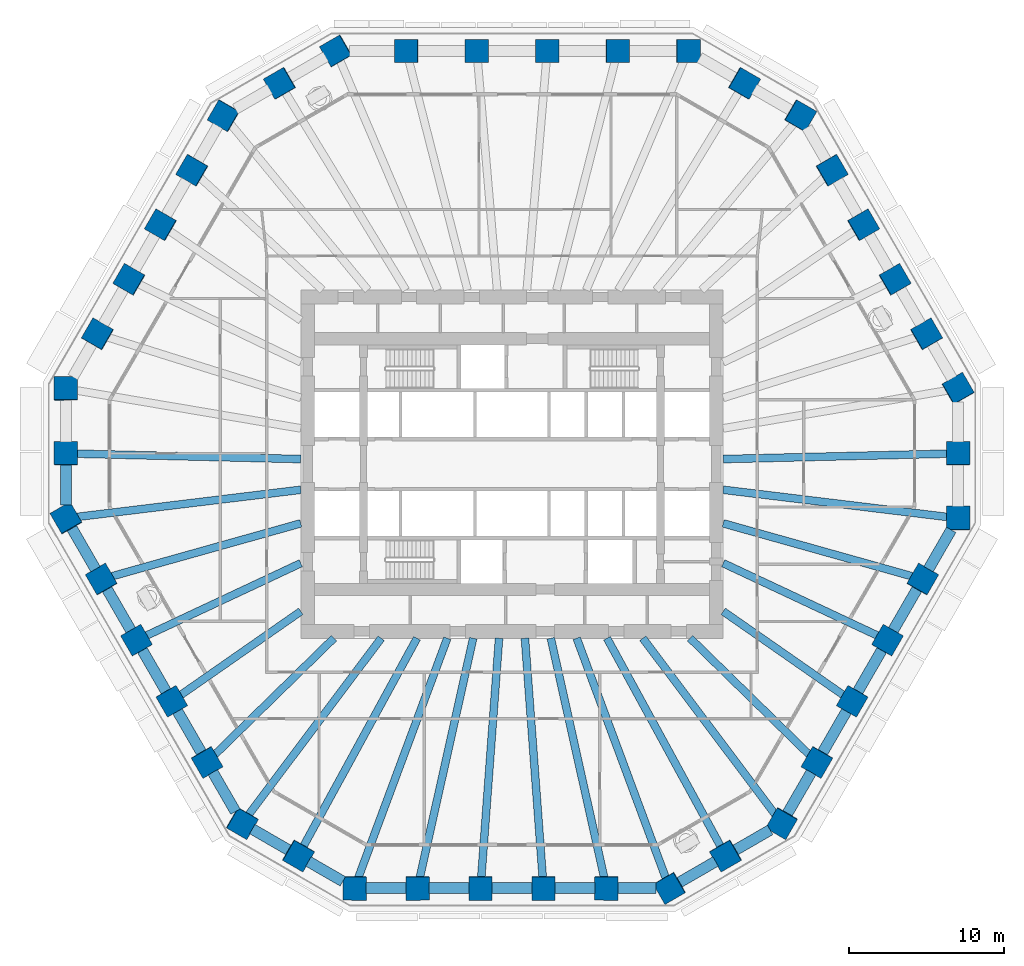
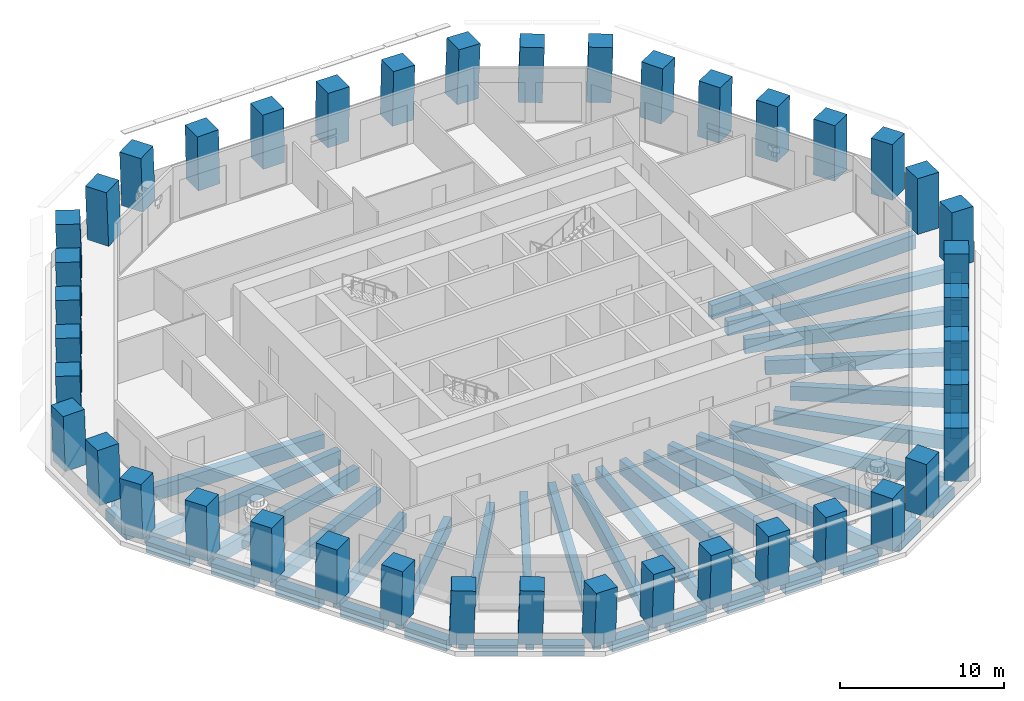
# One storey, part 1 of 13: 42 beams, 42 columns.
"""IFC4 building model written with IfcOpenShell, lengths in metres."""

from ifc_helpers import new_model, si_unit, direction, frame, origin, origin_2d, place, context, subcontext, project, spatial, rectangle, extrude, material, material_profile, profile_set, type_object, element, save


model = new_model("IFC4")

# Units and contexts
model_context = context("Model", 3, precision=1e-05, world=origin(), true_north=direction((0.0, 1.0)))
body_context = subcontext(model_context, "Body", "Model", "MODEL_VIEW")
ifc_project = project(units=[si_unit("LENGTHUNIT", "METRE"), si_unit("AREAUNIT", "SQUARE_METRE"), si_unit("VOLUMEUNIT", "CUBIC_METRE"), si_unit("PLANEANGLEUNIT", "RADIAN"), si_unit("MASSUNIT", "GRAM", prefix="KILO")], contexts=[model_context])

# Site, building, storey
site_placement = place(None, origin())
site = spatial("IfcSite", under=ifc_project, at=site_placement, CompositionType="ELEMENT")
building_placement = place(site_placement, origin())
building = spatial("IfcBuilding", under=site, at=building_placement, Name="Frailejon Research Tower", CompositionType="ELEMENT")
storey_placement = place(building_placement, frame((0.0, 0.0, 36.60009765625)))
storey = spatial("IfcBuildingStorey", under=building, at=storey_placement, Name="L08", CompositionType="ELEMENT", Elevation=36.60009765625)

# Columns
ifc_material_1 = material(Name="Concrete C70/85", Category="concrete")
ifc_material_profile_1 = material_profile(ifc_material_1, rectangle(XDim=1.5, YDim=1.5, at=origin_2d()), Name="Column 1500")
ifc_profile_set_1 = profile_set([ifc_material_profile_1], Name="Concrete C70/85")
column_type = type_object("IfcColumnType", Name="Column 1500", PredefinedType="COLUMN", material=ifc_profile_set_1)
for number, where, z_axis, x_axis, name in (
    (1, (28.81201171875, -3.49609375, 0.0), (0.018133721723, 0.031387604711, 0.999342777233), (-2.2310109e-05, 0.999507138094, -0.031392362166), "Column C01"),
    (2, (28.81201171875, 0.69140625, 0.0), (0.018133721723, 0.031387604711, 0.999342777233), (-2.2310109e-05, 0.999507138094, -0.031392362166), "Column C02"),
    (3, (28.81201171875, 4.87890625, 0.0), (0.018133721723, 0.031387604711, 0.999342777233), (-0.499938617502, 0.865871183901, -0.018123786047), "Column C03"),
):
    element("IfcColumn", number, at=place(storey_placement, frame(where, z_axis=z_axis, x_axis=x_axis)), inside=storey, type_object=column_type, Name=name, PredefinedType="COLUMN", context=body_context, shape_type="SweptSolid", body=[
        extrude(rectangle(XDim=1.5, YDim=1.5, at=origin_2d()), origin(), (0.0, 0.0, 1.0), 4.052490234375),
    ])
column_1_placement = place(storey_placement, frame((26.77587890625, 8.405517578125, 0.0), z_axis=(0.021750666956, 0.025184982791, 0.999446159195), x_axis=(-0.501141735437, 0.865296589037, -0.010898348669)))
element("IfcColumn", 4, at=column_1_placement, inside=storey, type_object=column_type, Name="Column C04", PredefinedType="COLUMN", context=body_context, shape_type="SweptSolid", body=[
    extrude(rectangle(XDim=1.5, YDim=1.5, at=origin_2d()), origin(), (0.0, 0.0, 1.0), 4.052001953125),
])
for number, where, z_axis, x_axis, name in (
    (5, (24.73974609375, 11.932373046875, 0.0), (0.025367110012, 0.018859632859, 0.999500287133), (-0.500693075872, 0.865617292239, -0.003625899899), "Column C05"),
    (6, (22.70361328125, 15.458984375, 0.0), (0.028982383936, 0.01259317722, 0.99950059195), (-0.500965863044, 0.865459464324, 0.003622109482), "Column C06"),
):
    element("IfcColumn", number, at=place(storey_placement, frame(where, z_axis=z_axis, x_axis=x_axis)), inside=storey, type_object=column_type, Name=name, PredefinedType="COLUMN", context=body_context, shape_type="SweptSolid", body=[
        extrude(rectangle(XDim=1.5, YDim=1.5, at=origin_2d()), origin(), (0.0, 0.0, 1.0), 4.0517578125),
    ])
column_2_placement = place(storey_placement, frame((20.66748046875, 18.985595703125, 0.0), z_axis=(0.032656141186, 0.006326374215, 0.999446623603), x_axis=(-0.500478610306, 0.865680620308, 0.01087309752)))
element("IfcColumn", 7, at=column_2_placement, inside=storey, type_object=column_type, Name="Column C07", PredefinedType="COLUMN", context=body_context, shape_type="SweptSolid", body=[
    extrude(rectangle(XDim=1.5, YDim=1.5, at=origin_2d()), origin(), (0.0, 0.0, 1.0), 4.052001953125),
])
for number, where, z_axis, x_axis, name in (
    (8, (18.63134765625, 22.512451171875, 0.0), (0.036267419622, 0.0, 0.999342120734), (-0.865313477853, 0.500246354177, 0.031403346616), "Column C08"),
    (9, (15.004638671875, 24.606201171875, 0.0), (0.036267419622, 0.0, 0.999342120734), (-0.865313477853, 0.500246354177, 0.031403346616), "Column C09"),
    (10, (11.378173828125, 26.699951171875, 0.0), (0.036267419622, 0.0, 0.999342120734), (-0.999342120734, 0.0, 0.036267419622), "Column C10"),
):
    element("IfcColumn", number, at=place(storey_placement, frame(where, z_axis=z_axis, x_axis=x_axis)), inside=storey, type_object=column_type, Name=name, PredefinedType="COLUMN", context=body_context, shape_type="SweptSolid", body=[
        extrude(rectangle(XDim=1.5, YDim=1.5, at=origin_2d()), origin(), (0.0, 0.0, 1.0), 4.052490234375),
    ])
column_3_placement = place(storey_placement, frame((6.826904296875, 26.699951171875, 0.0), z_axis=(0.021757568282, 0.0, 0.999763276092), x_axis=(-0.999763276092, 0.0, 0.021757568282)))
element("IfcColumn", 11, at=column_3_placement, inside=storey, type_object=column_type, Name="Column C11", PredefinedType="COLUMN", context=body_context, shape_type="SweptSolid", body=[
    extrude(rectangle(XDim=1.5, YDim=1.5, at=origin_2d()), origin(), (0.0, 0.0, 1.0), 4.05078125),
])
for number, where, z_axis, x_axis, name in (
    (12, (2.275634765625, 26.699951171875, 0.0), (0.007294235652, 0.0, 0.999973396709), (-0.999973396709, 0.0, 0.007294235652), "Column C12"),
    (13, (-2.275634765625, 26.699951171875, 0.0), (-0.007294235652, 0.0, 0.999973396709), (-0.999973396709, 0.0, -0.007294235652), "Column C13"),
):
    element("IfcColumn", number, at=place(storey_placement, frame(where, z_axis=z_axis, x_axis=x_axis)), inside=storey, type_object=column_type, Name=name, PredefinedType="COLUMN", context=body_context, shape_type="SweptSolid", body=[
        extrude(rectangle(XDim=1.5, YDim=1.5, at=origin_2d()), origin(), (0.0, 0.0, 1.0), 4.0498046875),
    ])
column_4_placement = place(storey_placement, frame((-6.826904296875, 26.699951171875, 0.0), z_axis=(-0.021757568282, 0.0, 0.999763276092), x_axis=(-0.999763276092, 0.0, -0.021757568282)))
element("IfcColumn", 14, at=column_4_placement, inside=storey, type_object=column_type, Name="Column C14", PredefinedType="COLUMN", context=body_context, shape_type="SweptSolid", body=[
    extrude(rectangle(XDim=1.5, YDim=1.5, at=origin_2d()), origin(), (0.0, 0.0, 1.0), 4.05078125),
])
for number, where, z_axis, x_axis, name in (
    (15, (-11.378173828125, 26.699951171875, 0.0), (-0.036267419622, 0.0, 0.999342120734), (-0.865313477853, -0.500246354177, -0.031403346616), "Column C15"),
    (16, (-15.004638671875, 24.606201171875, 0.0), (-0.036267419622, 0.0, 0.999342120734), (-0.865313477853, -0.500246354177, -0.031403346616), "Column C16"),
    (17, (-18.63134765625, 22.512451171875, 0.0), (-0.036267419622, 0.0, 0.999342120734), (-0.499424827821, -0.866167613071, -0.018124773713), "Column C17"),
):
    element("IfcColumn", number, at=place(storey_placement, frame(where, z_axis=z_axis, x_axis=x_axis)), inside=storey, type_object=column_type, Name=name, PredefinedType="COLUMN", context=body_context, shape_type="SweptSolid", body=[
        extrude(rectangle(XDim=1.5, YDim=1.5, at=origin_2d()), origin(), (0.0, 0.0, 1.0), 4.052490234375),
    ])
column_5_placement = place(storey_placement, frame((-20.66748046875, 18.985595703125, 0.0), z_axis=(-0.032656141186, 0.006326374215, 0.999446623603), x_axis=(-0.500478610306, -0.865680620308, -0.01087309752)))
element("IfcColumn", 18, at=column_5_placement, inside=storey, type_object=column_type, Name="Column C18", PredefinedType="COLUMN", context=body_context, shape_type="SweptSolid", body=[
    extrude(rectangle(XDim=1.5, YDim=1.5, at=origin_2d()), origin(), (0.0, 0.0, 1.0), 4.052001953125),
])
for number, where, z_axis, x_axis, name in (
    (19, (-22.70361328125, 15.458984375, 0.0), (-0.028982383936, 0.01259317722, 0.99950059195), (-0.500965863044, -0.865459464324, -0.003622109482), "Column C19"),
    (20, (-24.73974609375, 11.932373046875, 0.0), (-0.025367110012, 0.018859632859, 0.999500287133), (-0.500693075872, -0.865617292239, 0.003625899899), "Column C20"),
):
    element("IfcColumn", number, at=place(storey_placement, frame(where, z_axis=z_axis, x_axis=x_axis)), inside=storey, type_object=column_type, Name=name, PredefinedType="COLUMN", context=body_context, shape_type="SweptSolid", body=[
        extrude(rectangle(XDim=1.5, YDim=1.5, at=origin_2d()), origin(), (0.0, 0.0, 1.0), 4.0517578125),
    ])
column_6_placement = place(storey_placement, frame((-26.77587890625, 8.405517578125, 0.0), z_axis=(-0.021750666956, 0.025184982791, 0.999446159195), x_axis=(-0.501141735437, -0.865296589037, 0.010898348669)))
element("IfcColumn", 21, at=column_6_placement, inside=storey, type_object=column_type, Name="Column C21", PredefinedType="COLUMN", context=body_context, shape_type="SweptSolid", body=[
    extrude(rectangle(XDim=1.5, YDim=1.5, at=origin_2d()), origin(), (0.0, 0.0, 1.0), 4.052001953125),
])
for number, where, z_axis, x_axis, name in (
    (22, (-28.81201171875, 4.87890625, 0.0), (-0.018133721723, 0.031387604711, 0.999342777233), (-2.2310109e-05, -0.999507138094, 0.031392362166), "Column C22"),
    (23, (-28.81201171875, 0.69140625, 0.0), (-0.018133721723, 0.031387604711, 0.999342777233), (-2.2310109e-05, -0.999507138094, 0.031392362166), "Column C23"),
    (24, (-28.81201171875, -3.49609375, 0.0), (-0.018133721723, 0.031387604711, 0.999342777233), (0.500144780873, -0.865182746395, 0.036249324205), "Column C24"),
):
    element("IfcColumn", number, at=place(storey_placement, frame(where, z_axis=z_axis, x_axis=x_axis)), inside=storey, type_object=column_type, Name=name, PredefinedType="COLUMN", context=body_context, shape_type="SweptSolid", body=[
        extrude(rectangle(XDim=1.5, YDim=1.5, at=origin_2d()), origin(), (0.0, 0.0, 1.0), 4.052490234375),
    ])
column_7_placement = place(storey_placement, frame((-26.536376953125, -7.437744140625, 0.0), z_axis=(-0.010848648059, 0.01886459357, 0.999763188933), x_axis=(0.498562444949, -0.866580592009, 0.021761572546)))
element("IfcColumn", 25, at=column_7_placement, inside=storey, type_object=column_type, Name="Column C25", PredefinedType="COLUMN", context=body_context, shape_type="SweptSolid", body=[
    extrude(rectangle(XDim=1.5, YDim=1.5, at=origin_2d()), origin(), (0.0, 0.0, 1.0), 4.05078125),
])
for number, where, z_axis, x_axis, name in (
    (26, (-24.2607421875, -11.379150390625, 0.0), (-0.003616977835, 0.006269428248, 0.999973805527), (0.498177151135, -0.867045061108, 0.007237962107), "Column C26"),
    (27, (-21.985107421875, -15.32080078125, 0.0), (0.003616977835, -0.006269428248, 0.999973805527), (0.498177151135, -0.867045061108, -0.007237962107), "Column C27"),
):
    element("IfcColumn", number, at=place(storey_placement, frame(where, z_axis=z_axis, x_axis=x_axis)), inside=storey, type_object=column_type, Name=name, PredefinedType="COLUMN", context=body_context, shape_type="SweptSolid", body=[
        extrude(rectangle(XDim=1.5, YDim=1.5, at=origin_2d()), origin(), (0.0, 0.0, 1.0), 4.0498046875),
    ])
column_8_placement = place(storey_placement, frame((-19.70947265625, -19.26220703125, 0.0), z_axis=(0.010908911174, -0.018864581201, 0.999762533421), x_axis=(0.500638363085, -0.865382200335, -0.021791667014)))
element("IfcColumn", 28, at=column_8_placement, inside=storey, type_object=column_type, Name="Column C28", PredefinedType="COLUMN", context=body_context, shape_type="SweptSolid", body=[
    extrude(rectangle(XDim=1.5, YDim=1.5, at=origin_2d()), origin(), (0.0, 0.0, 1.0), 4.05078125),
])
for number, where, z_axis, x_axis, name in (
    (29, (-17.433837890625, -23.203857421875, 0.0), (0.018133721723, -0.031387604711, 0.999342777233), (0.86588493646, -0.499257214888, -0.031392836679), "Column C29"),
    (30, (-13.80712890625, -25.297607421875, 0.0), (0.018133721723, -0.031387604711, 0.999342777233), (0.866156161144, -0.49878714117, -0.031382994035), "Column C30"),
    (31, (-10.1806640625, -27.391357421875, 0.0), (0.018133687401, -0.03144779011, 0.999340885723), (0.999835530827, 0.000286416227, -0.018133649958), "Column C31"),
):
    element("IfcColumn", number, at=place(storey_placement, frame(where, z_axis=z_axis, x_axis=x_axis)), inside=storey, type_object=column_type, Name=name, PredefinedType="COLUMN", context=body_context, shape_type="SweptSolid", body=[
        extrude(rectangle(XDim=1.5, YDim=1.5, at=origin_2d()), origin(), (0.0, 0.0, 1.0), 4.052490234375),
    ])
column_9_placement = place(storey_placement, frame((-6.1083984375, -27.391357421875, 0.0), z_axis=(0.010905455097, -0.031451091494, 0.999445796376), x_axis=(0.999940472125, 0.000693933994, -0.010889015669)))
element("IfcColumn", 32, at=column_9_placement, inside=storey, type_object=column_type, Name="Column C32", PredefinedType="COLUMN", context=body_context, shape_type="SweptSolid", body=[
    extrude(rectangle(XDim=1.5, YDim=1.5, at=origin_2d()), origin(), (0.0, 0.0, 1.0), 4.052001953125),
])
for number, where, z_axis, x_axis, name in (
    (33, (-2.0361328125, -27.391357421875, 0.0), (0.003615259349, -0.031452756336, 0.999498701359), (0.999993464625, 8.9080718e-05, -0.003614245704), "Column C33"),
    (34, (2.0361328125, -27.391357421875, 0.0), (-0.003615259349, -0.031452756336, 0.999498701359), (0.999993464625, -8.9080718e-05, 0.003614245704), "Column C34"),
):
    element("IfcColumn", number, at=place(storey_placement, frame(where, z_axis=z_axis, x_axis=x_axis)), inside=storey, type_object=column_type, Name=name, PredefinedType="COLUMN", context=body_context, shape_type="SweptSolid", body=[
        extrude(rectangle(XDim=1.5, YDim=1.5, at=origin_2d()), origin(), (0.0, 0.0, 1.0), 4.0517578125),
    ])
column_10_placement = place(storey_placement, frame((6.1083984375, -27.391357421875, 0.0), z_axis=(-0.010905455097, -0.031451091494, 0.999445796376), x_axis=(0.999940472125, -0.000693933994, 0.010889015669)))
element("IfcColumn", 35, at=column_10_placement, inside=storey, type_object=column_type, Name="Column C35", PredefinedType="COLUMN", context=body_context, shape_type="SweptSolid", body=[
    extrude(rectangle(XDim=1.5, YDim=1.5, at=origin_2d()), origin(), (0.0, 0.0, 1.0), 4.052001953125),
])
for number, where, z_axis, x_axis, name in (
    (36, (10.1806640625, -27.391357421875, 0.0), (-0.018133687401, -0.03144779011, 0.999340885723), (0.865740951417, 0.499504633719, 0.031428107377), "Column C36"),
    (37, (13.80712890625, -25.297607421875, 0.0), (-0.018133721723, -0.031387604711, 0.999342777233), (0.866156161144, 0.49878714117, 0.031382994035), "Column C37"),
    (38, (17.433837890625, -23.203857421875, 0.0), (-0.018133721723, -0.031387604711, 0.999342777233), (0.499674779335, 0.865454274592, 0.036249323948), "Column C38"),
):
    element("IfcColumn", number, at=place(storey_placement, frame(where, z_axis=z_axis, x_axis=x_axis)), inside=storey, type_object=column_type, Name=name, PredefinedType="COLUMN", context=body_context, shape_type="SweptSolid", body=[
        extrude(rectangle(XDim=1.5, YDim=1.5, at=origin_2d()), origin(), (0.0, 0.0, 1.0), 4.052490234375),
    ])
column_11_placement = place(storey_placement, frame((19.70947265625, -19.26220703125, 0.0), z_axis=(-0.010908911174, -0.018864581201, 0.999762533421), x_axis=(0.500638363085, 0.865382200335, 0.021791667014)))
element("IfcColumn", 39, at=column_11_placement, inside=storey, type_object=column_type, Name="Column C39", PredefinedType="COLUMN", context=body_context, shape_type="SweptSolid", body=[
    extrude(rectangle(XDim=1.5, YDim=1.5, at=origin_2d()), origin(), (0.0, 0.0, 1.0), 4.05078125),
])
for number, where, z_axis, x_axis, name in (
    (40, (21.985107421875, -15.32080078125, 0.0), (-0.003616977835, -0.006269428248, 0.999973805527), (0.498177151135, 0.867045061108, 0.007237962107), "Column C40"),
    (41, (24.2607421875, -11.379150390625, 0.0), (0.003616977835, 0.006269428248, 0.999973805527), (0.498177151135, 0.867045061108, -0.007237962107), "Column C41"),
):
    element("IfcColumn", number, at=place(storey_placement, frame(where, z_axis=z_axis, x_axis=x_axis)), inside=storey, type_object=column_type, Name=name, PredefinedType="COLUMN", context=body_context, shape_type="SweptSolid", body=[
        extrude(rectangle(XDim=1.5, YDim=1.5, at=origin_2d()), origin(), (0.0, 0.0, 1.0), 4.0498046875),
    ])
column_12_placement = place(storey_placement, frame((26.536376953125, -7.437744140625, 0.0), z_axis=(0.010848648059, 0.01886459357, 0.999763188933), x_axis=(0.498562444949, 0.866580592009, -0.021761572546)))
element("IfcColumn", 42, at=column_12_placement, inside=storey, type_object=column_type, Name="Column C42", PredefinedType="COLUMN", context=body_context, shape_type="SweptSolid", body=[
    extrude(rectangle(XDim=1.5, YDim=1.5, at=origin_2d()), origin(), (0.0, 0.0, 1.0), 4.05078125),
])

# Beams
ifc_material_2 = material(Name="Concrete C60/75", Category="concrete")
ifc_material_profile_2 = material_profile(ifc_material_2, rectangle(XDim=0.5, YDim=1.050048828125, at=origin_2d()), Name="Girder 500x1050")
ifc_profile_set_2 = profile_set([ifc_material_profile_2], Name="Concrete C60/75")
beam_type_1 = type_object("IfcBeamType", Name="Girder 500x1050", PredefinedType="BEAM", material=ifc_profile_set_2)
beam_1_placement = place(storey_placement, frame((28.2109375, -3.42333984375, -0.8251953125), z_axis=(-0.992718530306, 0.120457127592, 0.0), x_axis=(-0.120457127592, -0.992718530306, 0.0)))
element("IfcBeam", 43, at=beam_1_placement, inside=storey, type_object=beam_type_1, Name="Girder 500x1050", PredefinedType="BEAM", context=body_context, shape_type="SweptSolid", body=[
    extrude(rectangle(XDim=0.5, YDim=1.050048828125, at=origin_2d()), origin(), (0.0, 0.0, 1.0), 14.667724609375),
])
for number, where, z_axis, x_axis, name in (
    (44, (28.2119140625, 0.677001953125, -0.8251953125), (-0.999712326942, -0.023984648423, 0.0), (0.023984648423, -0.999712326942, 0.0), "Girder 500x1050"),
    (45, (-28.2119140625, 0.677001953125, -0.8251953125), (0.999712326942, -0.023984648423, 0.0), (0.023984648423, 0.999712326942, 0.0), "Girder 500x1050"),
):
    element("IfcBeam", number, at=place(storey_placement, frame(where, z_axis=z_axis, x_axis=x_axis)), inside=storey, type_object=beam_type_1, Name=name, PredefinedType="BEAM", context=body_context, shape_type="SweptSolid", body=[
        extrude(rectangle(XDim=0.5, YDim=1.050048828125, at=origin_2d()), origin(), (0.0, 0.0, 1.0), 14.566162109375),
    ])
beam_2_placement = place(storey_placement, frame((-28.151611328125, -3.416015625, -0.8251953125), z_axis=(0.992719557939, 0.120448658295, 0.0), x_axis=(-0.120448658295, 0.992719557939, 0.0)))
element("IfcBeam", 46, at=beam_2_placement, inside=storey, type_object=beam_type_1, Name="Girder 500x1050", PredefinedType="BEAM", context=body_context, shape_type="SweptSolid", body=[
    extrude(rectangle(XDim=0.5, YDim=1.050048828125, at=origin_2d()), origin(), (0.0, 0.0, 1.0), 14.608154296875),
])
beam_3_placement = place(storey_placement, frame((-25.935302734375, -7.269287109375, -0.8251953125), z_axis=(0.962893834808, 0.269880460367, 0.0), x_axis=(-0.269880460367, 0.962893834808, 0.0)))
element("IfcBeam", 47, at=beam_3_placement, inside=storey, type_object=beam_type_1, Name="Girder 500x1050", PredefinedType="BEAM", context=body_context, shape_type="SweptSolid", body=[
    extrude(rectangle(XDim=0.5, YDim=1.050048828125, at=origin_2d()), origin(), (0.0, 0.0, 1.0), 12.7587890625),
])
beam_4_placement = place(storey_placement, frame((-23.715087890625, -11.123291015625, -0.8251953125), z_axis=(0.905358955257, 0.424647103059, 0.0), x_axis=(-0.424647103059, 0.905358955257, 0.0)))
element("IfcBeam", 48, at=beam_4_placement, inside=storey, type_object=beam_type_1, Name="Girder 500x1050", PredefinedType="BEAM", context=body_context, shape_type="SweptSolid", body=[
    extrude(rectangle(XDim=0.5, YDim=1.050048828125, at=origin_2d()), origin(), (0.0, 0.0, 1.0), 11.117431640625),
])
beam_5_placement = place(storey_placement, frame((-21.490478515625, -14.976318359375, -0.8251953125), z_axis=(0.820424312343, 0.571755146646, 0.0), x_axis=(-0.571755146646, 0.820424312343, 0.0)))
element("IfcBeam", 49, at=beam_5_placement, inside=storey, type_object=beam_type_1, Name="Girder 500x1050", PredefinedType="BEAM", context=body_context, shape_type="SweptSolid", body=[
    extrude(rectangle(XDim=0.5, YDim=1.050048828125, at=origin_2d()), origin(), (0.0, 0.0, 1.0), 9.556640625),
])
beam_6_placement = place(storey_placement, frame((-19.262939453125, -18.826171875, -0.8251953125), z_axis=(0.715168778636, 0.698951799529, 0.0), x_axis=(-0.698951799529, 0.715168778636, 0.0)))
element("IfcBeam", 50, at=beam_6_placement, inside=storey, type_object=beam_type_1, Name="Girder 500x1050", PredefinedType="BEAM", context=body_context, shape_type="SweptSolid", body=[
    extrude(rectangle(XDim=0.5, YDim=1.050048828125, at=origin_2d()), origin(), (0.0, 0.0, 1.0), 10.83935546875),
])
beam_7_placement = place(storey_placement, frame((-17.070068359375, -22.7197265625, -0.8251953125), z_axis=(0.60068592744, 0.799485094655, 0.0), x_axis=(-0.799485094655, 0.60068592744, 0.0)))
element("IfcBeam", 51, at=beam_7_placement, inside=storey, type_object=beam_type_1, Name="Girder 500x1050", PredefinedType="BEAM", context=body_context, shape_type="SweptSolid", body=[
    extrude(rectangle(XDim=0.5, YDim=1.050048828125, at=origin_2d()), origin(), (0.0, 0.0, 1.0), 14.346435546875),
])
beam_8_placement = place(storey_placement, frame((-13.51953125, -24.770751953125, -0.8251953125), z_axis=(0.479074213611, 0.877774400318, 0.0), x_axis=(-0.877774400318, 0.479074213611, 0.0)))
element("IfcBeam", 52, at=beam_8_placement, inside=storey, type_object=beam_type_1, Name="Girder 500x1050", PredefinedType="BEAM", context=body_context, shape_type="SweptSolid", body=[
    extrude(rectangle(XDim=0.5, YDim=1.050048828125, at=origin_2d()), origin(), (0.0, 0.0, 1.0), 15.403564453125),
])
beam_9_placement = place(storey_placement, frame((-9.9541015625, -26.781982421875, -0.8251953125), z_axis=(0.348381845947, 0.937352702783, 0.0), x_axis=(-0.937352702783, 0.348381845947, 0.0)))
element("IfcBeam", 53, at=beam_9_placement, inside=storey, type_object=beam_type_1, Name="Girder 500x1050", PredefinedType="BEAM", context=body_context, shape_type="SweptSolid", body=[
    extrude(rectangle(XDim=0.5, YDim=1.050048828125, at=origin_2d()), origin(), (0.0, 0.0, 1.0), 16.570068359375),
])
beam_10_placement = place(storey_placement, frame((-5.973876953125, -26.787841796875, -0.8251953125), z_axis=(0.217662732126, 0.976024044296, 0.0), x_axis=(-0.976024044296, 0.217662732126, 0.0)))
element("IfcBeam", 54, at=beam_10_placement, inside=storey, type_object=beam_type_1, Name="Girder 500x1050", PredefinedType="BEAM", context=body_context, shape_type="SweptSolid", body=[
    extrude(rectangle(XDim=0.5, YDim=1.050048828125, at=origin_2d()), origin(), (0.0, 0.0, 1.0), 15.91943359375),
])
for number, where, z_axis, x_axis, name in (
    (55, (-1.991455078125, -26.791015625, -0.8251953125), (0.074132515803, 0.997248399397, 0.0), (-0.997248399397, 0.074132515803, 0.0), "Girder 500x1050"),
    (56, (1.991455078125, -26.791015625, -0.8251953125), (-0.074132515803, 0.997248399397, 0.0), (-0.997248399397, -0.074132515803, 0.0), "Girder 500x1050"),
):
    element("IfcBeam", number, at=place(storey_placement, frame(where, z_axis=z_axis, x_axis=x_axis)), inside=storey, type_object=beam_type_1, Name=name, PredefinedType="BEAM", context=body_context, shape_type="SweptSolid", body=[
        extrude(rectangle(XDim=0.5, YDim=1.050048828125, at=origin_2d()), origin(), (0.0, 0.0, 1.0), 15.583984375),
    ])
beam_11_placement = place(storey_placement, frame((5.973876953125, -26.787841796875, -0.8251953125), z_axis=(-0.217662732126, 0.976024044296, 0.0), x_axis=(-0.976024044296, -0.217662732126, 0.0)))
element("IfcBeam", 57, at=beam_11_placement, inside=storey, type_object=beam_type_1, Name="Girder 500x1050", PredefinedType="BEAM", context=body_context, shape_type="SweptSolid", body=[
    extrude(rectangle(XDim=0.5, YDim=1.050048828125, at=origin_2d()), origin(), (0.0, 0.0, 1.0), 15.91943359375),
])
beam_12_placement = place(storey_placement, frame((9.968017578125, -26.819091796875, -0.8251953125), z_axis=(-0.348388391296, 0.937350270075, 0.0), x_axis=(-0.937350270075, -0.348388391296, 0.0)))
element("IfcBeam", 58, at=beam_12_placement, inside=storey, type_object=beam_type_1, Name="Girder 500x1050", PredefinedType="BEAM", context=body_context, shape_type="SweptSolid", body=[
    extrude(rectangle(XDim=0.5, YDim=1.050048828125, at=origin_2d()), origin(), (0.0, 0.0, 1.0), 16.609619140625),
])
beam_13_placement = place(storey_placement, frame((13.51953125, -24.770751953125, -0.8251953125), z_axis=(-0.479074213611, 0.877774400318, 0.0), x_axis=(-0.877774400318, -0.479074213611, 0.0)))
element("IfcBeam", 59, at=beam_13_placement, inside=storey, type_object=beam_type_1, Name="Girder 500x1050", PredefinedType="BEAM", context=body_context, shape_type="SweptSolid", body=[
    extrude(rectangle(XDim=0.5, YDim=1.050048828125, at=origin_2d()), origin(), (0.0, 0.0, 1.0), 15.403564453125),
])
beam_14_placement = place(storey_placement, frame((17.0341796875, -22.671875, -0.8251953125), z_axis=(-0.600688798324, 0.799482937634, 0.0), x_axis=(-0.799482937634, -0.600688798324, 0.0)))
element("IfcBeam", 60, at=beam_14_placement, inside=storey, type_object=beam_type_1, Name="Girder 500x1050", PredefinedType="BEAM", context=body_context, shape_type="SweptSolid", body=[
    extrude(rectangle(XDim=0.5, YDim=1.050048828125, at=origin_2d()), origin(), (0.0, 0.0, 1.0), 14.28662109375),
])
beam_15_placement = place(storey_placement, frame((19.262939453125, -18.826171875, -0.8251953125), z_axis=(-0.715168778636, 0.698951799529, 0.0), x_axis=(-0.698951799529, -0.715168778636, 0.0)))
element("IfcBeam", 61, at=beam_15_placement, inside=storey, type_object=beam_type_1, Name="Girder 500x1050", PredefinedType="BEAM", context=body_context, shape_type="SweptSolid", body=[
    extrude(rectangle(XDim=0.5, YDim=1.050048828125, at=origin_2d()), origin(), (0.0, 0.0, 1.0), 10.83935546875),
])
beam_16_placement = place(storey_placement, frame((21.490478515625, -14.976318359375, -0.8251953125), z_axis=(-0.820424312343, 0.571755146646, 0.0), x_axis=(-0.571755146646, -0.820424312343, 0.0)))
element("IfcBeam", 62, at=beam_16_placement, inside=storey, type_object=beam_type_1, Name="Girder 500x1050", PredefinedType="BEAM", context=body_context, shape_type="SweptSolid", body=[
    extrude(rectangle(XDim=0.5, YDim=1.050048828125, at=origin_2d()), origin(), (0.0, 0.0, 1.0), 9.556640625),
])
beam_17_placement = place(storey_placement, frame((23.715087890625, -11.123291015625, -0.8251953125), z_axis=(-0.905358955257, 0.424647103059, 0.0), x_axis=(-0.424647103059, -0.905358955257, 0.0)))
element("IfcBeam", 63, at=beam_17_placement, inside=storey, type_object=beam_type_1, Name="Girder 500x1050", PredefinedType="BEAM", context=body_context, shape_type="SweptSolid", body=[
    extrude(rectangle(XDim=0.5, YDim=1.050048828125, at=origin_2d()), origin(), (0.0, 0.0, 1.0), 11.117431640625),
])
beam_18_placement = place(storey_placement, frame((25.935302734375, -7.269287109375, -0.8251953125), z_axis=(-0.962893834808, 0.269880460367, 0.0), x_axis=(-0.269880460367, -0.962893834808, 0.0)))
element("IfcBeam", 64, at=beam_18_placement, inside=storey, type_object=beam_type_1, Name="Girder 500x1050", PredefinedType="BEAM", context=body_context, shape_type="SweptSolid", body=[
    extrude(rectangle(XDim=0.5, YDim=1.050048828125, at=origin_2d()), origin(), (0.0, 0.0, 1.0), 12.7587890625),
])
ifc_material_3 = material(Name="Concrete C60/75", Category="concrete")
ifc_material_profile_3 = material_profile(ifc_material_3, rectangle(XDim=0.699951171875, YDim=0.800048828125, at=origin_2d()), Name="Spandrel 700x800")
ifc_profile_set_3 = profile_set([ifc_material_profile_3], Name="Concrete C60/75")
beam_type_2 = type_object("IfcBeamType", Name="Spandrel 700x800", PredefinedType="BEAM", material=ifc_profile_set_3)
beam_19_placement = place(storey_placement, frame((-28.81201171875, -0.05859375, -0.75), z_axis=(0.0, -1.0, 0.0), x_axis=(1.0, 0.0, 0.0)))
element("IfcBeam", 65, at=beam_19_placement, inside=storey, type_object=beam_type_2, Name="Spandrel 700x800", PredefinedType="BEAM", context=body_context, shape_type="SweptSolid", body=[
    extrude(rectangle(XDim=0.699951171875, YDim=0.800048828125, at=origin_2d()), origin(), (0.0, 0.0, 1.0), 2.571533203125),
])
beam_20_placement = place(storey_placement, frame((-28.43701171875, -4.145751953125, -0.75), z_axis=(0.500020286125, -0.866013691268, 0.0), x_axis=(0.866013691268, 0.500020286125, 0.0)))
element("IfcBeam", 66, at=beam_20_placement, inside=storey, type_object=beam_type_2, Name="Spandrel 700x800", PredefinedType="BEAM", context=body_context, shape_type="SweptSolid", body=[
    extrude(rectangle(XDim=0.699951171875, YDim=0.800048828125, at=origin_2d()), origin(), (0.0, 0.0, 1.0), 3.051025390625),
])
for number, where, z_axis, x_axis, name in (
    (67, (-26.161376953125, -8.087158203125, -0.75), (0.499985639223, -0.866033694824, 0.0), (0.866033694824, 0.499985639223, 0.0), "Spandrel 700x800"),
    (68, (-23.8857421875, -12.02880859375, -0.75), (0.499985639223, -0.866033694824, 0.0), (0.866033694824, 0.499985639223, 0.0), "Spandrel 700x800"),
    (69, (-21.610107421875, -15.97021484375, -0.75), (0.499985639223, -0.866033694824, 0.0), (0.866033694824, 0.499985639223, 0.0), "Spandrel 700x800"),
):
    element("IfcBeam", number, at=place(storey_placement, frame(where, z_axis=z_axis, x_axis=x_axis)), inside=storey, type_object=beam_type_2, Name=name, PredefinedType="BEAM", context=body_context, shape_type="SweptSolid", body=[
        extrude(rectangle(XDim=0.699951171875, YDim=0.800048828125, at=origin_2d()), origin(), (0.0, 0.0, 1.0), 3.05126953125),
    ])
beam_21_placement = place(storey_placement, frame((-19.33447265625, -19.911865234375, -0.75), z_axis=(0.500039236423, -0.86600274944, 0.0), x_axis=(0.86600274944, 0.500039236423, 0.0)))
element("IfcBeam", 70, at=beam_21_placement, inside=storey, type_object=beam_type_2, Name="Spandrel 700x800", PredefinedType="BEAM", context=body_context, shape_type="SweptSolid", body=[
    extrude(rectangle(XDim=0.699951171875, YDim=0.800048828125, at=origin_2d()), origin(), (0.0, 0.0, 1.0), 2.935302734375),
])
beam_22_placement = place(storey_placement, frame((-16.7841796875, -23.578857421875, -0.75), z_axis=(0.866020687897, -0.500008168067, 0.0), x_axis=(0.500008168067, 0.866020687897, 0.0)))
element("IfcBeam", 71, at=beam_22_placement, inside=storey, type_object=beam_type_2, Name="Spandrel 700x800", PredefinedType="BEAM", context=body_context, shape_type="SweptSolid", body=[
    extrude(rectangle(XDim=0.699951171875, YDim=0.800048828125, at=origin_2d()), origin(), (0.0, 0.0, 1.0), 2.6875),
])
beam_23_placement = place(storey_placement, frame((-13.15771484375, -25.672607421875, -0.75), z_axis=(0.866008514048, -0.50002925274, 0.0), x_axis=(0.50002925274, 0.866008514048, 0.0)))
element("IfcBeam", 72, at=beam_23_placement, inside=storey, type_object=beam_type_2, Name="Spandrel 700x800", PredefinedType="BEAM", context=body_context, shape_type="SweptSolid", body=[
    extrude(rectangle(XDim=0.699951171875, YDim=0.800048828125, at=origin_2d()), origin(), (0.0, 0.0, 1.0), 2.571533203125),
])
for number, where, z_axis, x_axis, name in (
    (73, (-9.4306640625, -27.391357421875, -0.75), (1.0, 0.0, 0.0), (0.0, 1.0, 0.0), "Spandrel 700x800"),
    (74, (-5.3583984375, -27.391357421875, -0.75), (1.0, 0.0, 0.0), (0.0, 1.0, 0.0), "Spandrel 700x800"),
    (75, (-1.2861328125, -27.391357421875, -0.75), (1.0, 0.0, 0.0), (0.0, 1.0, 0.0), "Spandrel 700x800"),
    (76, (2.7861328125, -27.391357421875, -0.75), (1.0, 0.0, 0.0), (0.0, 1.0, 0.0), "Spandrel 700x800"),
):
    element("IfcBeam", number, at=place(storey_placement, frame(where, z_axis=z_axis, x_axis=x_axis)), inside=storey, type_object=beam_type_2, Name=name, PredefinedType="BEAM", context=body_context, shape_type="SweptSolid", body=[
        extrude(rectangle(XDim=0.699951171875, YDim=0.800048828125, at=origin_2d()), origin(), (0.0, 0.0, 1.0), 2.572265625),
    ])
beam_24_placement = place(storey_placement, frame((6.8583984375, -27.391357421875, -0.75), z_axis=(1.0, 0.0, 0.0), x_axis=(0.0, 1.0, 0.0)))
element("IfcBeam", 77, at=beam_24_placement, inside=storey, type_object=beam_type_2, Name="Spandrel 700x800", PredefinedType="BEAM", context=body_context, shape_type="SweptSolid", body=[
    extrude(rectangle(XDim=0.699951171875, YDim=0.800048828125, at=origin_2d()), origin(), (0.0, 0.0, 1.0), 2.456298828125),
])
beam_25_placement = place(storey_placement, frame((10.830078125, -27.016357421875, -0.75), z_axis=(0.866043397086, 0.499968833392, 0.0), x_axis=(-0.499968833392, 0.866043397086, 0.0)))
element("IfcBeam", 78, at=beam_25_placement, inside=storey, type_object=beam_type_2, Name="Spandrel 700x800", PredefinedType="BEAM", context=body_context, shape_type="SweptSolid", body=[
    extrude(rectangle(XDim=0.699951171875, YDim=0.800048828125, at=origin_2d()), origin(), (0.0, 0.0, 1.0), 2.687744140625),
])
beam_26_placement = place(storey_placement, frame((14.456787109375, -24.922607421875, -0.75), z_axis=(0.866008514048, 0.50002925274, 0.0), x_axis=(-0.50002925274, 0.866008514048, 0.0)))
element("IfcBeam", 79, at=beam_26_placement, inside=storey, type_object=beam_type_2, Name="Spandrel 700x800", PredefinedType="BEAM", context=body_context, shape_type="SweptSolid", body=[
    extrude(rectangle(XDim=0.699951171875, YDim=0.800048828125, at=origin_2d()), origin(), (0.0, 0.0, 1.0), 2.571533203125),
])
beam_27_placement = place(storey_placement, frame((17.808837890625, -22.55419921875, -0.75), z_axis=(0.500020286125, 0.866013691268, 0.0), x_axis=(-0.866013691268, 0.500020286125, 0.0)))
element("IfcBeam", 80, at=beam_27_placement, inside=storey, type_object=beam_type_2, Name="Spandrel 700x800", PredefinedType="BEAM", context=body_context, shape_type="SweptSolid", body=[
    extrude(rectangle(XDim=0.699951171875, YDim=0.800048828125, at=origin_2d()), origin(), (0.0, 0.0, 1.0), 3.051025390625),
])
for number, where, z_axis, x_axis, name in (
    (81, (20.08447265625, -18.61279296875, -0.75), (0.499985639223, 0.866033694824, 0.0), (-0.866033694824, 0.499985639223, 0.0), "Spandrel 700x800"),
    (82, (22.360107421875, -14.67138671875, -0.75), (0.499985639223, 0.866033694824, 0.0), (-0.866033694824, 0.499985639223, 0.0), "Spandrel 700x800"),
    (83, (24.6357421875, -10.729736328125, -0.75), (0.499985639223, 0.866033694824, 0.0), (-0.866033694824, 0.499985639223, 0.0), "Spandrel 700x800"),
):
    element("IfcBeam", number, at=place(storey_placement, frame(where, z_axis=z_axis, x_axis=x_axis)), inside=storey, type_object=beam_type_2, Name=name, PredefinedType="BEAM", context=body_context, shape_type="SweptSolid", body=[
        extrude(rectangle(XDim=0.699951171875, YDim=0.800048828125, at=origin_2d()), origin(), (0.0, 0.0, 1.0), 3.05126953125),
    ])
beam_28_placement = place(storey_placement, frame((26.911376953125, -6.7880859375, -0.75), z_axis=(0.499976855651, 0.866038765768, 0.0), x_axis=(-0.866038765768, 0.499976855651, 0.0)))
element("IfcBeam", 84, at=beam_28_placement, inside=storey, type_object=beam_type_2, Name="Spandrel 700x800", PredefinedType="BEAM", context=body_context, shape_type="SweptSolid", body=[
    extrude(rectangle(XDim=0.699951171875, YDim=0.800048828125, at=origin_2d()), origin(), (0.0, 0.0, 1.0), 2.935302734375),
])

save(model, "model.ifc")
